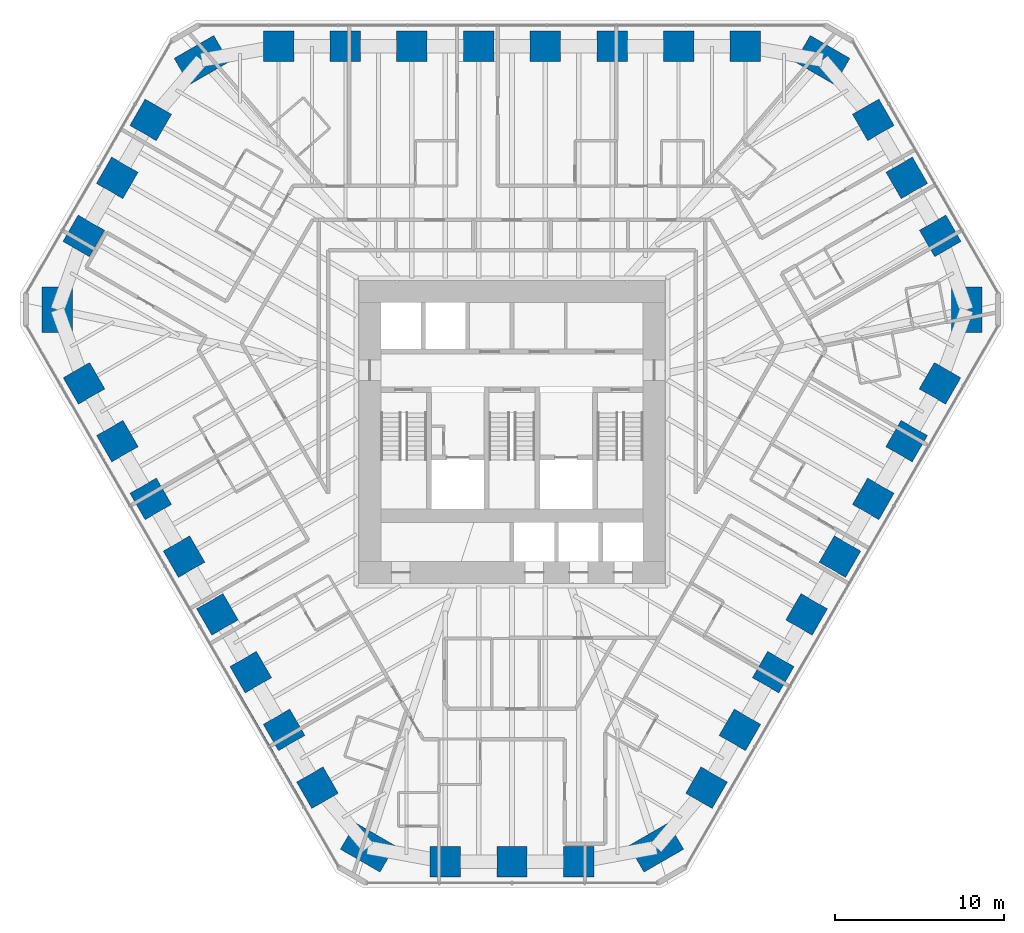
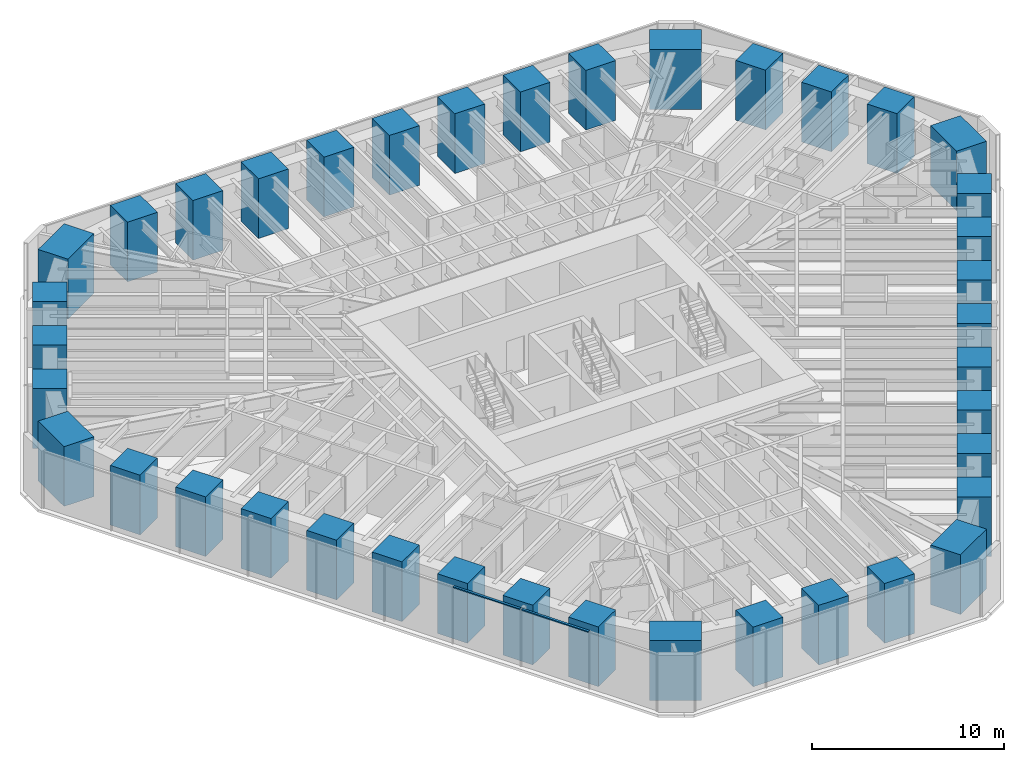
# One storey, part 1 of 17: 39 columns, 2 members, 1 element without a shape of its own.
"""IFC4 building model written with IfcOpenShell, lengths in metres."""

from ifc_helpers import new_model, si_unit, direction, frame, origin, origin_2d, place, context, subcontext, project, spatial, rectangle, extrude, material, material_profile, profile_set, type_object, element, aggregate, save


model = new_model("IFC4")

# Units and contexts
model_context = context("Model", 3, precision=1e-05, world=origin(), true_north=direction((0.0, 1.0)))
body_context = subcontext(model_context, "Body", "Model", "MODEL_VIEW")
ifc_project = project(units=[si_unit("LENGTHUNIT", "METRE"), si_unit("AREAUNIT", "SQUARE_METRE"), si_unit("VOLUMEUNIT", "CUBIC_METRE"), si_unit("PLANEANGLEUNIT", "RADIAN"), si_unit("MASSUNIT", "GRAM", prefix="KILO")], contexts=[model_context])

# Site, building, storey
site_placement = place(None, origin())
site = spatial("IfcSite", under=ifc_project, at=site_placement, CompositionType="ELEMENT")
building_placement = place(site_placement, origin())
building = spatial("IfcBuilding", under=site, at=building_placement, Name="Sandreach Pilgrim Tower", CompositionType="ELEMENT")
storey_placement = place(building_placement, frame((0.0, 0.0, 127.199951171875)))
storey = spatial("IfcBuildingStorey", under=building, at=storey_placement, Name="L31", CompositionType="ELEMENT", Elevation=127.199951171875)

# Columns
ifc_material_1 = material(Name="Concrete 10000 psi", Category="concrete")
ifc_material_profile_1 = material_profile(ifc_material_1, rectangle(XDim=1.800048828125, YDim=1.800048828125, at=origin_2d()), Name="RC1800X1800")
ifc_profile_set_1 = profile_set([ifc_material_profile_1], Name="Concrete 10000 psi")
column_type_1 = type_object("IfcColumnType", Name="Tube column RC1800X1800", PredefinedType="COLUMN", material=ifc_profile_set_1)
for number, where, z_axis, x_axis, name in (
    (1, (-13.789794921875, 21.23388671875, 0.0), (0.0, 0.0, 1.0), (0.0, 1.0, 0.0), "COL L31 T01"),
    (2, (-9.849853515625, 21.23388671875, 0.0), (0.0, 0.0, 1.0), (0.0, 1.0, 0.0), "COL L31 T02"),
    (3, (-5.909912109375, 21.23388671875, 0.0), (0.0, 0.0, 1.0), (0.0, 1.0, 0.0), "COL L31 T03"),
    (4, (-1.969970703125, 21.23388671875, 0.0), (0.0, 0.0, 1.0), (0.0, 1.0, 0.0), "COL L31 T04"),
    (5, (1.969970703125, 21.23388671875, 0.0), (0.0, 0.0, 1.0), (0.0, 1.0, 0.0), "COL L31 T05"),
    (6, (5.909912109375, 21.23388671875, 0.0), (0.0, 0.0, 1.0), (0.0, 1.0, 0.0), "COL L31 T06"),
    (7, (9.849853515625, 21.23388671875, 0.0), (0.0, 0.0, 1.0), (0.0, 1.0, 0.0), "COL L31 T07"),
    (8, (13.789794921875, 21.23388671875, 0.0), (0.0, 0.0, 1.0), (0.0, 1.0, 0.0), "COL L31 T08"),
    (9, (21.346435546875, 16.891357421875, 0.0), (0.0, 0.0, 1.0), (0.866025403784, 0.5, 0.0), "COL L31 T10"),
    (10, (23.323974609375, 13.466064453125, 0.0), (0.0, 0.0, 1.0), (0.866025403784, 0.5, 0.0), "COL L31 T11"),
    (11, (25.301513671875, 10.040771484375, 0.0), (0.0, 0.0, 1.0), (0.866025403784, 0.5, 0.0), "COL L31 T12"),
    (12, (25.283935546875, 1.325439453125, 0.0), (0.0, 0.0, 1.0), (0.866025403784, -0.5, 0.0), "COL L31 T14"),
    (13, (23.31396484375, -2.086669921875, 0.0), (0.0, 0.0, 1.0), (0.866025403784, -0.5, 0.0), "COL L31 T15"),
    (14, (21.343994140625, -5.498779296875, 0.0), (0.0, 0.0, 1.0), (0.866025403784, -0.5, 0.0), "COL L31 T16"),
    (15, (19.3740234375, -8.910888671875, 0.0), (0.0, 0.0, 1.0), (0.866025403784, -0.5, 0.0), "COL L31 T17"),
    (16, (17.404052734375, -12.322998046875, 0.0), (0.0, 0.0, 1.0), (0.866025403784, -0.5, 0.0), "COL L31 T18"),
    (17, (15.43408203125, -15.735107421875, 0.0), (0.0, 0.0, 1.0), (0.866025403784, -0.5, 0.0), "COL L31 T19"),
    (18, (13.464111328125, -19.147216796875, 0.0), (0.0, 0.0, 1.0), (0.866025403784, -0.5, 0.0), "COL L31 T20"),
    (19, (11.494140625, -22.559326171875, 0.0), (0.0, 0.0, 1.0), (0.866025403784, -0.5, 0.0), "COL L31 T21"),
    (20, (3.955322265625, -26.93212890625, 0.0), (0.0, 0.0, 1.0), (0.0, -1.0, 0.0), "COL L31 T23"),
    (21, (0.0, -26.93212890625, 0.0), (0.0, 0.0, 1.0), (0.0, -1.0, 0.0), "COL L31 T24"),
    (22, (-3.955322265625, -26.93212890625, 0.0), (0.0, 0.0, 1.0), (0.0, -1.0, 0.0), "COL L31 T25"),
    (23, (-11.494140625, -22.559326171875, 0.0), (0.0, 0.0, 1.0), (-0.866025403784, -0.5, 0.0), "COL L31 T27"),
    (24, (-13.464111328125, -19.147216796875, 0.0), (0.0, 0.0, 1.0), (-0.866025403784, -0.5, 0.0), "COL L31 T28"),
    (25, (-15.43408203125, -15.735107421875, 0.0), (0.0, 0.0, 1.0), (-0.866025403784, -0.5, 0.0), "COL L31 T29"),
    (26, (-17.404052734375, -12.322998046875, 0.0), (0.0, 0.0, 1.0), (-0.866025403784, -0.5, 0.0), "COL L31 T30"),
    (27, (-19.3740234375, -8.910888671875, 0.0), (0.0, 0.0, 1.0), (-0.866025403784, -0.5, 0.0), "COL L31 T31"),
    (28, (-21.343994140625, -5.498779296875, 0.0), (0.0, 0.0, 1.0), (-0.866025403784, -0.5, 0.0), "COL L31 T32"),
    (29, (-23.31396484375, -2.086669921875, 0.0), (0.0, 0.0, 1.0), (-0.866025403784, -0.5, 0.0), "COL L31 T33"),
    (30, (-25.283935546875, 1.325439453125, 0.0), (0.0, 0.0, 1.0), (-0.866025403784, -0.5, 0.0), "COL L31 T34"),
    (31, (-25.301513671875, 10.040771484375, 0.0), (0.0, 0.0, 1.0), (-0.866025403784, 0.5, 0.0), "COL L31 T36"),
    (32, (-23.323974609375, 13.466064453125, 0.0), (0.0, 0.0, 1.0), (-0.866025403784, 0.5, 0.0), "COL L31 T37"),
    (33, (-21.346435546875, 16.891357421875, 0.0), (0.0, 0.0, 1.0), (-0.866025403784, 0.5, 0.0), "COL L31 T38"),
):
    element("IfcColumn", number, at=place(storey_placement, frame(where, z_axis=z_axis, x_axis=x_axis)), inside=storey, type_object=column_type_1, Name=name, PredefinedType="COLUMN", context=body_context, shape_type="SweptSolid", body=[
        extrude(rectangle(XDim=1.800048828125, YDim=1.800048828125, at=origin_2d()), origin(), (0.0, 0.0, 1.0), 3.800048828125),
    ])
ifc_material_2 = material(Name="Concrete 10000 psi", Category="concrete")
ifc_material_profile_2 = material_profile(ifc_material_2, rectangle(XDim=1.800048828125, YDim=2.699951171875, at=origin_2d()), Name="RC1800X2700")
ifc_profile_set_2 = profile_set([ifc_material_profile_2], Name="Concrete 10000 psi")
column_type_2 = type_object("IfcColumnType", Name="Tube corner pier RC1800X2700", PredefinedType="COLUMN", material=ifc_profile_set_2)
for number, where, z_axis, x_axis, name in (
    (34, (18.33935546875, 20.423828125, 0.0), (0.0, 0.0, 1.0), (0.5, 0.866025403784, 0.0), "COL L31 T09"),
    (35, (26.857177734375, 5.67041015625, 0.0), (0.0, 0.0, 1.0), (1.0, 0.0, 0.0), "COL L31 T13"),
    (36, (8.517822265625, -26.09423828125, 0.0), (0.0, 0.0, 1.0), (0.5, -0.866025403784, 0.0), "COL L31 T22"),
    (37, (-8.517822265625, -26.09423828125, 0.0), (0.0, 0.0, 1.0), (-0.5, -0.866025403784, 0.0), "COL L31 T26"),
    (38, (-26.857177734375, 5.67041015625, 0.0), (0.0, 0.0, 1.0), (-1.0, 0.0, 0.0), "COL L31 T35"),
    (39, (-18.33935546875, 20.423828125, 0.0), (0.0, 0.0, 1.0), (-0.5, 0.866025403784, 0.0), "COL L31 T39"),
):
    element("IfcColumn", number, at=place(storey_placement, frame(where, z_axis=z_axis, x_axis=x_axis)), inside=storey, type_object=column_type_2, Name=name, PredefinedType="COLUMN", context=body_context, shape_type="SweptSolid", body=[
        extrude(rectangle(XDim=1.800048828125, YDim=2.699951171875, at=origin_2d()), origin(), (0.0, 0.0, 1.0), 3.800048828125),
    ])

# Curtain wall, members
ifc_material_3 = material(Name="Aluminium framed curtain wall", Category="aluminium")
curtain_wall_type = type_object("IfcCurtainWallType", Name="Hotel tower curtain wall", PredefinedType="NOTDEFINED", material=ifc_material_3)
curtain_wall_placement = place(storey_placement, origin())
curtain_wall = element("IfcCurtainWall", 40, at=curtain_wall_placement, inside=storey, type_object=curtain_wall_type, Name="CW-2 L31 SW", PredefinedType="NOTDEFINED")
ifc_material_4 = material(Name="Aluminium extrusion", Category="aluminium")
ifc_material_profile_3 = material_profile(ifc_material_4, rectangle(XDim=0.139892578125, YDim=0.070068359375, at=origin_2d()), Name="CW-2T 140X70")
ifc_profile_set_3 = profile_set([ifc_material_profile_3], Name="Aluminium extrusion")
member_type = type_object("IfcMemberType", Name="CW-2 transom", PredefinedType="USERDEFINED", material=ifc_profile_set_3)
member_1_placement = place(storey_placement, frame((-12.309326171875, -23.667236328125, 3.60498046875), z_axis=(-0.500023973715, 0.866011562111, 0.0), x_axis=(-0.866011562111, -0.500023973715, 0.0)))
member_1 = element("IfcMember", 41, at=member_1_placement, type_object=member_type, Name="CW-2 head transom 2", ObjectType="TRANSOM", PredefinedType="USERDEFINED", context=body_context, shape_type="SweptSolid", body=[
    extrude(rectangle(XDim=0.139892578125, YDim=0.070068359375, at=origin_2d()), origin(), (0.0, 0.0, 1.0), 4.041748046875),
])
member_2_placement = place(storey_placement, frame((-14.36279296875, -20.110595703125, 3.60498046875), z_axis=(-0.499997818338, 0.866026663364, 0.0), x_axis=(-0.866026663364, -0.499997818338, 0.0)))
member_2 = element("IfcMember", 42, at=member_2_placement, type_object=member_type, Name="CW-2 head transom 3", ObjectType="TRANSOM", PredefinedType="USERDEFINED", context=body_context, shape_type="SweptSolid", body=[
    extrude(rectangle(XDim=0.139892578125, YDim=0.070068359375, at=origin_2d()), origin(), (0.0, 0.0, 1.0), 4.0419921875),
])
aggregate(curtain_wall, [member_1, member_2])

save(model, "model.ifc")
